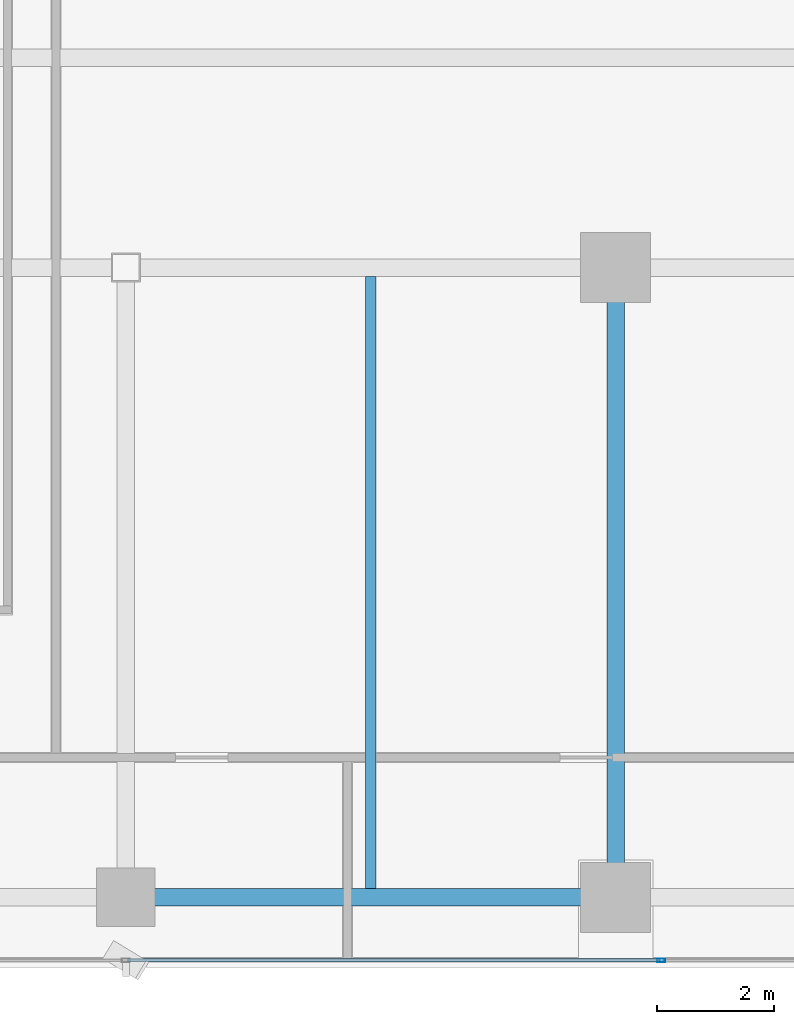
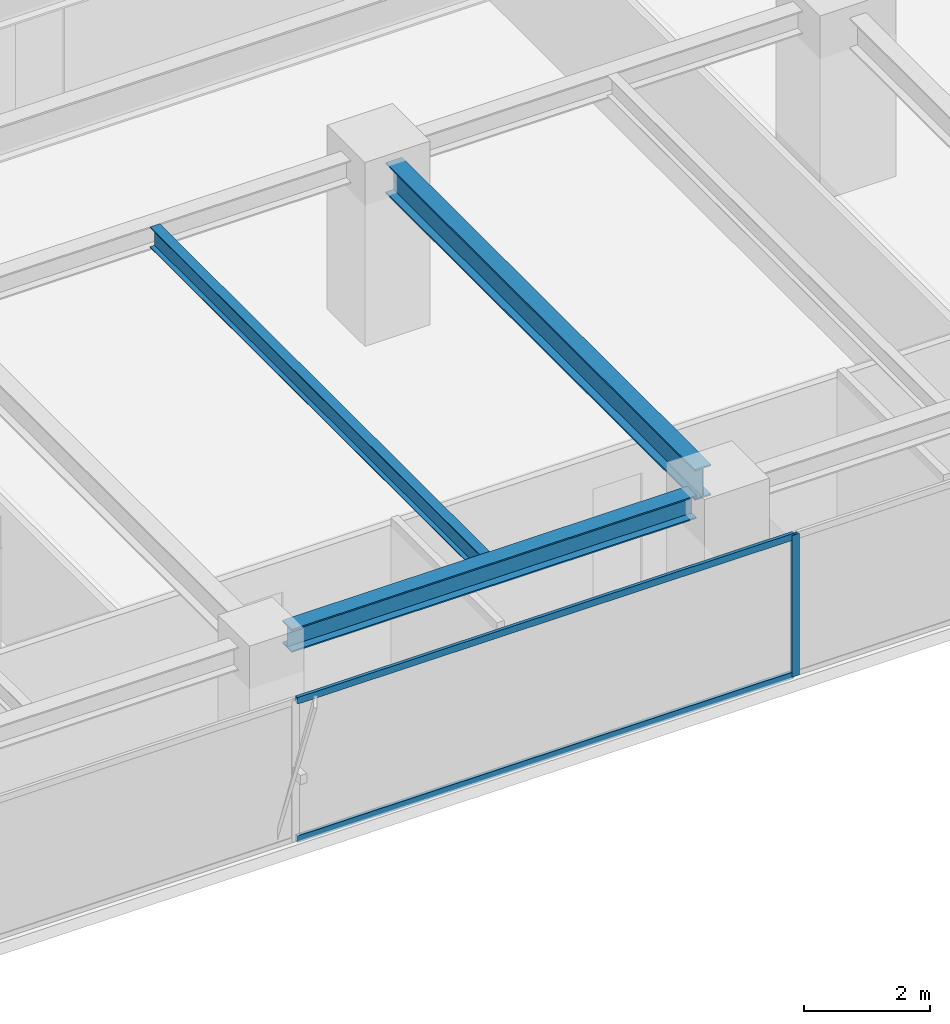
# One storey, part 7 of 25: 3 beams, 3 members, 1 element without a shape of its own.
"""IFC4 building model written with IfcOpenShell, lengths in metres."""

from ifc_helpers import new_model, si_unit, direction, frame, origin, origin_2d, place, context, subcontext, project, spatial, hollow_rectangle, i_section, extrude, source, transform, mapped, material, layer, layer_set, material_profile, profile_set, type_object, element, aggregate, save


model = new_model("IFC4")

# Units and contexts
model_context = context("Model", 3, precision=1e-05, world=origin(), true_north=direction((0.0, 1.0)))
body_context = subcontext(model_context, "Body", "Model", "MODEL_VIEW")
ifc_project = project(units=[si_unit("LENGTHUNIT", "METRE"), si_unit("AREAUNIT", "SQUARE_METRE"), si_unit("VOLUMEUNIT", "CUBIC_METRE"), si_unit("PLANEANGLEUNIT", "RADIAN"), si_unit("MASSUNIT", "GRAM", prefix="KILO")], contexts=[model_context])

# Site, building, storey
site_placement = place(None, origin())
site = spatial("IfcSite", under=ifc_project, at=site_placement, CompositionType="ELEMENT")
building_placement = place(site_placement, origin())
building = spatial("IfcBuilding", under=site, at=building_placement, Name="Sumidabori Civic Tower", CompositionType="ELEMENT")
storey_placement = place(building_placement, frame((0.0, 0.0, 232.39990234375)))
storey = spatial("IfcBuildingStorey", under=building, at=storey_placement, Name="L60", CompositionType="ELEMENT", Elevation=232.39990234375)

# Beams
ifc_material_1 = material(Name="Steel SN490", Category="steel")
ifc_material_profile_1 = material_profile(ifc_material_1, i_section(OverallWidth=0.300048828125, OverallDepth=0.60009765625, WebThickness=0.015380859375, FlangeThickness=0.030029296875, at=origin_2d()), Name="HE 600 B")
ifc_profile_set_1 = profile_set([ifc_material_profile_1], Name="Steel SN490")
beam_type_1 = type_object("IfcBeamType", Name="BM-GIRD-600", PredefinedType="BEAM", material=ifc_profile_set_1)
shared_shape_1 = source(origin(), body_context, "Body", "SweptSolid", [
    extrude(i_section(OverallWidth=0.300048828125, OverallDepth=0.60009765625, WebThickness=0.015380859375, FlangeThickness=0.030029296875, at=origin_2d()), origin(), (0.0, 0.0, 1.0), 9.840087890625),
])
beam_1_placement = place(storey_placement, frame((8.39990234375, -10.320068359375, 3.070068359375), z_axis=(0.0, 1.0, 0.0), x_axis=(-1.0, 0.0, 0.0)))
element("IfcBeam", 1, at=beam_1_placement, inside=storey, type_object=beam_type_1, Name="Primary Girder L60 GY-14", PredefinedType="BEAM", context=body_context, shape_type="MappedRepresentation", body=[
    mapped(shared_shape_1, transform((0.0, 0.0, 0.0), x_axis=(1.0, 0.0, 0.0), y_axis=(0.0, 1.0, 0.0), z_axis=(0.0, 0.0, 1.0), scale=1.0)),
])
ifc_material_profile_2 = material_profile(ifc_material_1, i_section(OverallWidth=0.300048828125, OverallDepth=0.449951171875, WebThickness=0.013916015625, FlangeThickness=0.02587890625, at=origin_2d()), Name="HE 450 B")
ifc_profile_set_2 = profile_set([ifc_material_profile_2], Name="Steel SN490")
beam_type_2 = type_object("IfcBeamType", Name="BM-GIRD-450", PredefinedType="BEAM", material=ifc_profile_set_2)
shared_shape_2 = source(origin(), body_context, "Body", "SweptSolid", [
    extrude(i_section(OverallWidth=0.300048828125, OverallDepth=0.449951171875, WebThickness=0.013916015625, FlangeThickness=0.02587890625, at=origin_2d()), origin(), (0.0, 0.0, 1.0), 7.43994140625),
])
beam_2_placement = place(storey_placement, frame((0.47998046875, -10.800048828125, 3.14501953125), z_axis=(1.0, 0.0, 0.0), x_axis=(0.0, 1.0, 0.0)))
element("IfcBeam", 2, at=beam_2_placement, inside=storey, type_object=beam_type_2, Name="Primary Girder L60 GX-03", PredefinedType="BEAM", context=body_context, shape_type="MappedRepresentation", body=[
    mapped(shared_shape_2, transform((0.0, 0.0, 0.0), x_axis=(1.0, 0.0, 0.0), y_axis=(0.0, 1.0, 0.0), z_axis=(0.0, 0.0, 1.0), scale=1.0)),
])
ifc_material_profile_3 = material_profile(ifc_material_1, i_section(OverallWidth=0.179931640625, OverallDepth=0.39990234375, WebThickness=0.008544921875, FlangeThickness=0.013427734375, at=origin_2d()), Name="IPE 400")
ifc_profile_set_3 = profile_set([ifc_material_profile_3], Name="Steel SN490")
beam_type_3 = type_object("IfcBeamType", Name="BM-JST-400", PredefinedType="JOIST", material=ifc_profile_set_3)
shared_shape_3 = source(origin(), body_context, "Body", "SweptSolid", [
    extrude(i_section(OverallWidth=0.179931640625, OverallDepth=0.39990234375, WebThickness=0.008544921875, FlangeThickness=0.013427734375, at=origin_2d()), origin(), (0.0, 0.0, 1.0), 10.5),
])
beam_3_placement = place(storey_placement, frame((4.199951171875, -10.64990234375, 3.170166015625), z_axis=(0.0, 1.0, 0.0), x_axis=(-1.0, 0.0, 0.0)))
element("IfcBeam", 3, at=beam_3_placement, inside=storey, type_object=beam_type_3, Name="Upper Lens N-S Floor Joist L60 JSTV-22", PredefinedType="JOIST", context=body_context, shape_type="MappedRepresentation", body=[
    mapped(shared_shape_3, transform((0.0, 0.0, 0.0), x_axis=(1.0, 0.0, 0.0), y_axis=(0.0, 1.0, 0.0), z_axis=(0.0, 0.0, 1.0), scale=1.0)),
])

# Curtain wall, members
ifc_material_2 = material(Name="Anodised Bronze Aluminium AW-6063-T6", Category="aluminium")
ifc_layer = layer(ifc_material_2, 0.179931640625, Name="Anodised Bronze Aluminium AW-6063-T6")
ifc_layer_set = layer_set([ifc_layer], Name="Anodised Bronze Aluminium AW-6063-T6")
curtain_wall_type = type_object("IfcCurtainWallType", Name="CW-SYS-5", PredefinedType="NOTDEFINED", material=ifc_layer_set)
curtain_wall_placement = place(storey_placement, origin())
curtain_wall = element("IfcCurtainWall", 4, at=curtain_wall_placement, inside=storey, type_object=curtain_wall_type, Name="Curtain Wall CW:L60:R01", PredefinedType="NOTDEFINED")
ifc_material_profile_4 = material_profile(ifc_material_2, hollow_rectangle(XDim=0.06005859375, YDim=0.1298828125, WallThickness=0.0048828125, at=origin_2d()), Name="ALU TRANSOM 130x60")
ifc_profile_set_4 = profile_set([ifc_material_profile_4], Name="Anodised Bronze Aluminium AW-6063-T6")
member_type_1 = type_object("IfcMemberType", Name="CW-TRN-130", PredefinedType="USERDEFINED", material=ifc_profile_set_4)
shared_shape_4 = source(origin(), body_context, "Body", "SweptSolid", [
    extrude(hollow_rectangle(XDim=0.06005859375, YDim=0.1298828125, WallThickness=0.0048828125, at=origin_2d()), origin(), (0.0, 0.0, 1.0), 9.125),
])
member_1_placement = place(storey_placement, frame((0.030029296875, -11.8798828125, 0.030029296875), z_axis=(1.0, 0.0, 0.0), x_axis=(0.0, 1.0, 0.0)))
member_1 = element("IfcMember", 5, at=member_1_placement, type_object=member_type_1, Name="CW-5 transom 3.1", ObjectType="TRANSOM", PredefinedType="USERDEFINED", context=body_context, shape_type="MappedRepresentation", body=[
    mapped(shared_shape_4, transform((0.0, 0.0, 0.0), x_axis=(1.0, 0.0, 0.0), y_axis=(0.0, 1.0, 0.0), z_axis=(0.0, 0.0, 1.0), scale=1.0)),
])
member_2_placement = place(storey_placement, frame((0.030029296875, -11.8798828125, 2.72021484375), z_axis=(1.0, 0.0, 0.0), x_axis=(0.0, 1.0, 0.0)))
member_2 = element("IfcMember", 6, at=member_2_placement, type_object=member_type_1, Name="CW-5 transom 3.2", ObjectType="TRANSOM", PredefinedType="USERDEFINED", context=body_context, shape_type="MappedRepresentation", body=[
    mapped(shared_shape_4, transform((0.0, 0.0, 0.0), x_axis=(1.0, 0.0, 0.0), y_axis=(0.0, 1.0, 0.0), z_axis=(0.0, 0.0, 1.0), scale=1.0)),
])
ifc_material_profile_5 = material_profile(ifc_material_2, hollow_rectangle(XDim=0.06005859375, YDim=0.139892578125, WallThickness=0.0048828125, at=origin_2d()), Name="ALU MULLION 140x60")
ifc_profile_set_5 = profile_set([ifc_material_profile_5], Name="Anodised Bronze Aluminium AW-6063-T6")
member_type_2 = type_object("IfcMemberType", Name="CW-MUL-140", PredefinedType="MULLION", material=ifc_profile_set_5)
shared_shape_5 = source(origin(), body_context, "Body", "SweptSolid", [
    extrude(hollow_rectangle(XDim=0.06005859375, YDim=0.139892578125, WallThickness=0.0048828125, at=origin_2d()), origin(), (0.0, 0.0, 1.0), 2.75),
])
member_3_placement = place(storey_placement, frame((9.18505859375, -11.8798828125, 0.0), z_axis=(0.0, 0.0, 1.0), x_axis=(0.0, 1.0, 0.0)))
member_3 = element("IfcMember", 7, at=member_3_placement, type_object=member_type_2, Name="CW-5 mullion 4", PredefinedType="MULLION", context=body_context, shape_type="MappedRepresentation", body=[
    mapped(shared_shape_5, transform((0.0, 0.0, 0.0), x_axis=(1.0, 0.0, 0.0), y_axis=(0.0, 1.0, 0.0), z_axis=(0.0, 0.0, 1.0), scale=1.0)),
])
aggregate(curtain_wall, [member_3, member_1, member_2])

save(model, "model.ifc")
